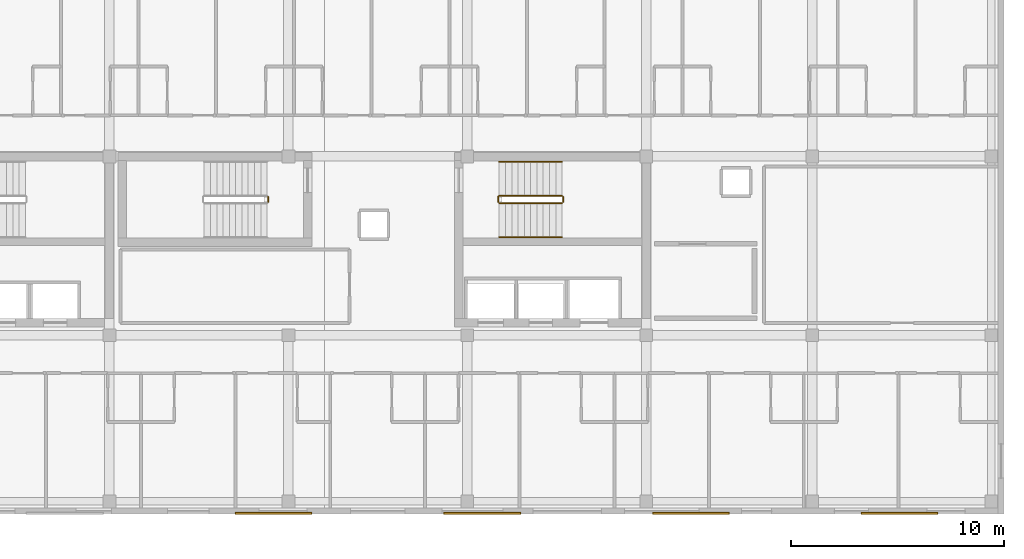
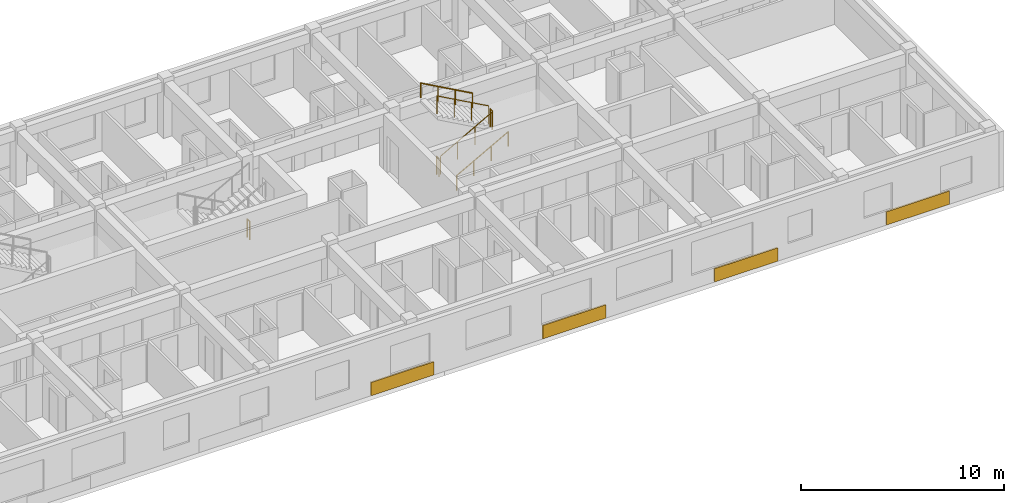
# One storey, part 10 of 10: 7 railings, 4 coverings.
"""IFC4 building model written with IfcOpenShell, lengths in metres."""

from ifc_helpers import new_model, si_unit, direction, frame, origin, origin_2d, place, context, subcontext, project, spatial, rectangle, circle, extrude, material, layer, layer_set, type_object, element, save


model = new_model("IFC4")

# Units and contexts
model_context = context("Model", 3, precision=1e-05, world=origin(), true_north=direction((0.0, 1.0)))
body_context = subcontext(model_context, "Body", "Model", "MODEL_VIEW")
ifc_project = project(units=[si_unit("LENGTHUNIT", "METRE"), si_unit("AREAUNIT", "SQUARE_METRE"), si_unit("VOLUMEUNIT", "CUBIC_METRE"), si_unit("PLANEANGLEUNIT", "RADIAN"), si_unit("MASSUNIT", "GRAM", prefix="KILO")], contexts=[model_context])

# Site, building, storey
site_placement = place(None, origin())
site = spatial("IfcSite", under=ifc_project, at=site_placement, CompositionType="ELEMENT")
building_placement = place(site_placement, origin())
building = spatial("IfcBuilding", under=site, at=building_placement, Name="Zayran Congress Hotel", CompositionType="ELEMENT")
storey_placement = place(building_placement, frame((0.0, 0.0, 33.60009765625)))
storey = spatial("IfcBuildingStorey", under=building, at=storey_placement, Name="L08", CompositionType="ELEMENT", Elevation=33.60009765625)

# Coverings
ifc_material_1 = material(Name="Ochre geometric bas-relief Hajar Ma'ani stone", Category="masonry")
ifc_layer = layer(ifc_material_1, 0.090087890625)
ifc_layer_set = layer_set([ifc_layer], Name="Ochre geometric bas-relief Hajar Ma'ani stone")
covering_type = type_object("IfcCoveringType", Name="TP-CLD-01", PredefinedType="CLADDING", material=ifc_layer_set)
for number, where, z_axis, x_axis, name in (
    (1, (41.300048828125, 8.844970703125, 0.0), (0.0, 0.0, 1.0), (1.0, 0.0, 0.0), "CLD-V5S-L08-2"),
    (2, (51.10009765625, 8.844970703125, 0.0), (0.0, 0.0, 1.0), (1.0, 0.0, 0.0), "CLD-V5S-L08-3"),
    (3, (60.89990234375, 8.844970703125, 0.0), (0.0, 0.0, 1.0), (1.0, 0.0, 0.0), "CLD-V5S-L08-4"),
    (4, (70.699951171875, 8.844970703125, 0.0), (0.0, 0.0, 1.0), (1.0, 0.0, 0.0), "CLD-V5S-L08-5"),
):
    element("IfcCovering", number, at=place(storey_placement, frame(where, z_axis=z_axis, x_axis=x_axis)), inside=storey, type_object=covering_type, Name=name, PredefinedType="CLADDING", context=body_context, shape_type="SweptSolid", body=[
        extrude(rectangle(XDim=3.60009765625, YDim=0.090087890625, at=origin_2d()), origin(), (0.0, 0.0, 1.0), 0.800048828125),
    ])

# Railings
ifc_material_2 = material(Name="Painted steel balustrade", Category="steel")
railing_type_1 = type_object("IfcRailingType", Name="TP-GRD-INT", PredefinedType="GUARDRAIL", material=ifc_material_2)
railing_1_placement = place(storey_placement, frame((51.89990234375, 23.409912109375, 0.16357421875)))
element("IfcRailing", 5, at=railing_1_placement, inside=storey, type_object=railing_type_1, Name="L08 ST-02 stair guard 1", PredefinedType="GUARDRAIL", context=body_context, shape_type="SweptSolid", body=[
    extrude(circle(Radius=0.02392578125, at=origin_2d()), frame((0.0, 0.0, 1.076171875), z_axis=(0.874505241218, 0.0, 0.485016064767), x_axis=(0.0, 1.0, 0.0)), (0.0, 0.0, 1.0), 3.37353515625),
    extrude(circle(Radius=0.02099609375, at=origin_2d()), origin(), (0.0, 0.0, 1.0), 1.052001953125),
    extrude(circle(Radius=0.02099609375, at=origin_2d()), frame((0.9833984375, 0.0, 0.54541015625)), (0.0, 0.0, 1.0), 1.052001953125),
    extrude(circle(Radius=0.02099609375, at=origin_2d()), frame((1.966796875, 0.0, 1.0908203125)), (0.0, 0.0, 1.0), 1.052001953125),
    extrude(circle(Radius=0.02099609375, at=origin_2d()), frame((2.9501953125, 0.0, 1.63623046875)), (0.0, 0.0, 1.0), 1.052001953125),
])
railing_2_placement = place(storey_placement, frame((54.89990234375, 23.4599609375, 1.7998046875)))
element("IfcRailing", 6, at=railing_2_placement, inside=storey, type_object=railing_type_1, Name="L08 ST-02 stair guard 2", PredefinedType="GUARDRAIL", context=body_context, shape_type="SweptSolid", body=[
    extrude(circle(Radius=0.02392578125, at=origin_2d()), frame((0.0, 0.0, 1.076171875), z_axis=(0.0, 1.0, 0.0), x_axis=(-1.0, 0.0, 0.0)), (0.0, 0.0, 1.0), 0.239990234375),
    extrude(circle(Radius=0.02099609375, at=origin_2d()), origin(), (0.0, 0.0, 1.0), 1.052001953125),
    extrude(circle(Radius=0.02099609375, at=origin_2d()), frame((0.0, 0.239990234375, 0.0)), (0.0, 0.0, 1.0), 1.052001953125),
])
railing_3_placement = place(storey_placement, frame((54.85009765625, 23.75, 1.963623046875)))
element("IfcRailing", 7, at=railing_3_placement, inside=storey, type_object=railing_type_1, Name="L08 ST-02 stair guard 3", PredefinedType="GUARDRAIL", context=body_context, shape_type="SweptSolid", body=[
    extrude(circle(Radius=0.02392578125, at=origin_2d()), frame((0.0, 0.0, 1.076171875), z_axis=(-0.874505241218, 0.0, 0.485016064767), x_axis=(0.0, -1.0, 0.0)), (0.0, 0.0, 1.0), 3.37353515625),
    extrude(circle(Radius=0.02099609375, at=origin_2d()), origin(), (0.0, 0.0, 1.0), 1.052001953125),
    extrude(circle(Radius=0.02099609375, at=origin_2d()), frame((-0.9833984375, 0.0, 0.54541015625)), (0.0, 0.0, 1.0), 1.052001953125),
    extrude(circle(Radius=0.02099609375, at=origin_2d()), frame((-1.966796875, 0.0, 1.0908203125)), (0.0, 0.0, 1.0), 1.052001953125),
    extrude(circle(Radius=0.02099609375, at=origin_2d()), frame((-2.9501953125, 0.0, 1.63623046875)), (0.0, 0.0, 1.0), 1.052001953125),
])
railing_4_placement = place(storey_placement, frame((51.85009765625, 23.4599609375, 0.0)))
element("IfcRailing", 8, at=railing_4_placement, inside=storey, type_object=railing_type_1, Name="L08 ST-02 stair guard 4", PredefinedType="GUARDRAIL", context=body_context, shape_type="SweptSolid", body=[
    extrude(circle(Radius=0.02392578125, at=origin_2d()), frame((0.0, 0.0, 1.076171875), z_axis=(0.0, 1.0, 0.0), x_axis=(-1.0, 0.0, 0.0)), (0.0, 0.0, 1.0), 0.239990234375),
    extrude(circle(Radius=0.02099609375, at=origin_2d()), origin(), (0.0, 0.0, 1.0), 1.052001953125),
    extrude(circle(Radius=0.02099609375, at=origin_2d()), frame((0.0, 0.239990234375, 0.0)), (0.0, 0.0, 1.0), 1.052001953125),
])
railing_5_placement = place(storey_placement, frame((41.050048828125, 23.699951171875, 0.0)))
element("IfcRailing", 9, at=railing_5_placement, inside=storey, type_object=railing_type_1, Name="L08 ST-13 stair guard 4", PredefinedType="GUARDRAIL", context=body_context, shape_type="SweptSolid", body=[
    extrude(circle(Radius=0.02392578125, at=origin_2d()), frame((0.0, 0.0, 1.076171875), z_axis=(0.0, -1.0, 0.0), x_axis=(1.0, 0.0, 0.0)), (0.0, 0.0, 1.0), 0.239990234375),
    extrude(circle(Radius=0.02099609375, at=origin_2d()), origin(), (0.0, 0.0, 1.0), 1.052001953125),
    extrude(circle(Radius=0.02099609375, at=origin_2d()), frame((0.0, -0.239990234375, 0.0)), (0.0, 0.0, 1.0), 1.052001953125),
])
ifc_material_3 = material(Name="Brushed stainless steel handrail", Category="steel")
railing_type_2 = type_object("IfcRailingType", Name="TP-HND-STR", PredefinedType="HANDRAIL", material=ifc_material_3)
railing_6_placement = place(storey_placement, frame((51.89990234375, 21.81005859375, 0.16357421875)))
element("IfcRailing", 10, at=railing_6_placement, inside=storey, type_object=railing_type_2, Name="L08 ST-02 stair handrail 1", PredefinedType="HANDRAIL", context=body_context, shape_type="SweptSolid", body=[
    extrude(circle(Radius=0.02392578125, at=origin_2d()), frame((0.0, 0.0, 0.8759765625), z_axis=(0.874505241218, 0.0, 0.485016064767), x_axis=(0.0, 1.0, 0.0)), (0.0, 0.0, 1.0), 3.37353515625),
    extrude(circle(Radius=0.02099609375, at=origin_2d()), origin(), (0.0, 0.0, 1.0), 0.851806640625),
    extrude(circle(Radius=0.02099609375, at=origin_2d()), frame((0.9833984375, 0.0, 0.54541015625)), (0.0, 0.0, 1.0), 0.851806640625),
    extrude(circle(Radius=0.02099609375, at=origin_2d()), frame((1.966796875, 0.0, 1.0908203125)), (0.0, 0.0, 1.0), 0.851806640625),
    extrude(circle(Radius=0.02099609375, at=origin_2d()), frame((2.9501953125, 0.0, 1.63623046875)), (0.0, 0.0, 1.0), 0.851806640625),
])
railing_7_placement = place(storey_placement, frame((54.85009765625, 25.35009765625, 1.963623046875)))
element("IfcRailing", 11, at=railing_7_placement, inside=storey, type_object=railing_type_2, Name="L08 ST-02 stair handrail 2", PredefinedType="HANDRAIL", context=body_context, shape_type="SweptSolid", body=[
    extrude(circle(Radius=0.02392578125, at=origin_2d()), frame((0.0, 0.0, 0.8759765625), z_axis=(-0.874505241218, 0.0, 0.485016064767), x_axis=(0.0, -1.0, 0.0)), (0.0, 0.0, 1.0), 3.37353515625),
    extrude(circle(Radius=0.02099609375, at=origin_2d()), origin(), (0.0, 0.0, 1.0), 0.851806640625),
    extrude(circle(Radius=0.02099609375, at=origin_2d()), frame((-0.9833984375, 0.0, 0.54541015625)), (0.0, 0.0, 1.0), 0.851806640625),
    extrude(circle(Radius=0.02099609375, at=origin_2d()), frame((-1.966796875, 0.0, 1.0908203125)), (0.0, 0.0, 1.0), 0.851806640625),
    extrude(circle(Radius=0.02099609375, at=origin_2d()), frame((-2.9501953125, 0.0, 1.63623046875)), (0.0, 0.0, 1.0), 0.851806640625),
])

save(model, "model.ifc")
